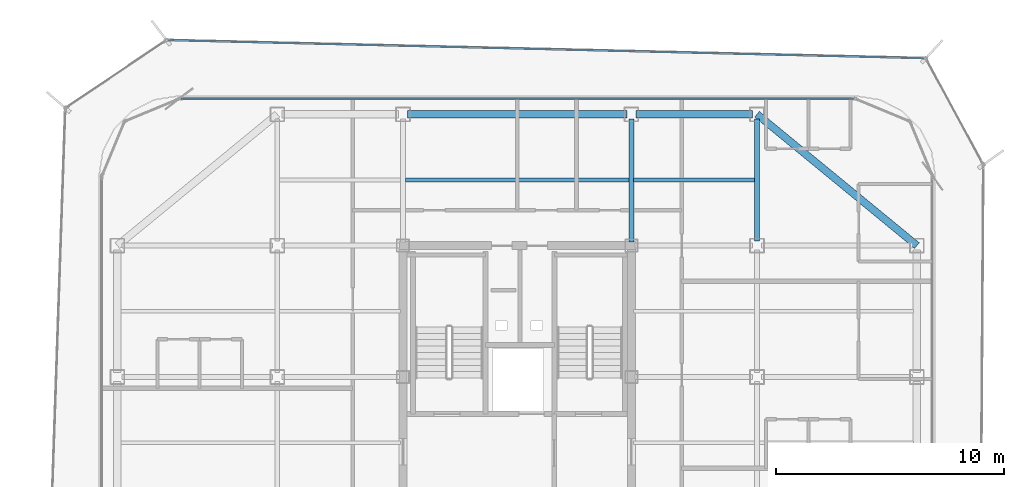
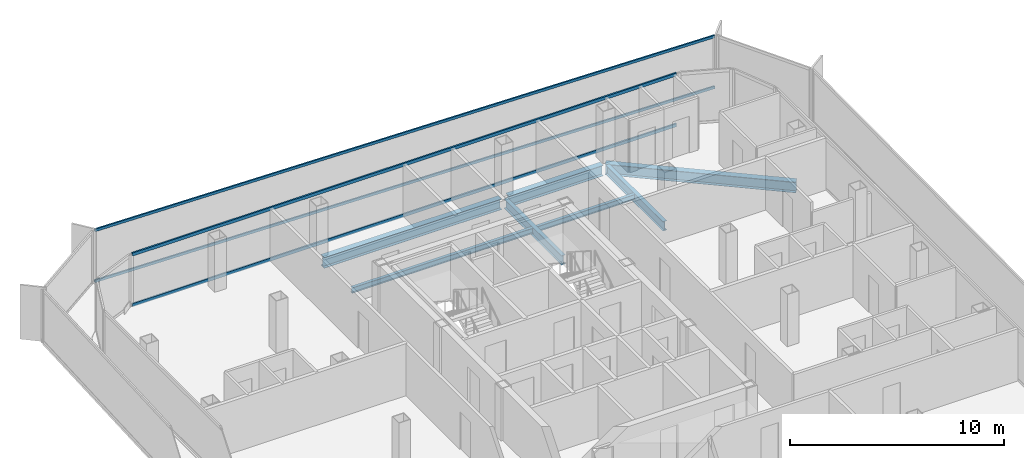
# One storey, part 7 of 15: 7 beams, 4 members, 2 elements without a shape of their own.
"""IFC4 building model written with IfcOpenShell, lengths in metres."""

from ifc_helpers import new_model, si_unit, direction, frame, origin, origin_2d, place, context, subcontext, project, spatial, hollow_rectangle, i_section, extrude, source, transform, mapped, material, layer, layer_set, material_profile, profile_set, type_object, element, aggregate, save


model = new_model("IFC4")

# Units and contexts
model_context = context("Model", 3, precision=1e-05, world=origin(), true_north=direction((0.0, 1.0)))
body_context = subcontext(model_context, "Body", "Model", "MODEL_VIEW")
ifc_project = project(units=[si_unit("LENGTHUNIT", "METRE"), si_unit("AREAUNIT", "SQUARE_METRE"), si_unit("VOLUMEUNIT", "CUBIC_METRE"), si_unit("PLANEANGLEUNIT", "RADIAN"), si_unit("MASSUNIT", "GRAM", prefix="KILO")], contexts=[model_context])

# Site, building, storey
site_placement = place(None, origin())
site = spatial("IfcSite", under=ifc_project, at=site_placement, CompositionType="ELEMENT")
building_placement = place(site_placement, origin())
building = spatial("IfcBuilding", under=site, at=building_placement, Name="Kolveth Station Tower", CompositionType="ELEMENT")
storey_placement = place(building_placement, frame((0.0, 0.0, 248.89990234375)))
storey = spatial("IfcBuildingStorey", under=building, at=storey_placement, Name="L71", CompositionType="ELEMENT", Elevation=248.89990234375)

# Beams
ifc_material_1 = material(Name="Steel S355", Category="steel")
ifc_material_profile_1 = material_profile(ifc_material_1, i_section(OverallWidth=0.323974609375, OverallDepth=0.611083984375, WebThickness=0.0126953125, FlangeThickness=0.01904296875, at=origin_2d()), Name="W610x155")
ifc_profile_set_1 = profile_set([ifc_material_profile_1], Name="Steel S355")
beam_type_1 = type_object("IfcBeamType", Name="Beam_SP2", PredefinedType="SPANDREL", material=ifc_profile_set_1)
shared_shape_1 = source(origin(), body_context, "Body", "SweptSolid", [
    extrude(i_section(OverallWidth=0.323974609375, OverallDepth=0.611083984375, WebThickness=0.0126953125, FlangeThickness=0.01904296875, at=origin_2d()), origin(), (0.0, 0.0, 1.0), 9.058837890625),
])
beam_1_placement = place(storey_placement, frame((41.0, 28.75, -0.525390625), z_axis=(-0.772726254525, 0.63473942336, 0.0), x_axis=(-0.63473942336, -0.772726254525, 0.0)))
element("IfcBeam", 1, at=beam_1_placement, inside=storey, type_object=beam_type_1, Name="L71 Corner Edge Girder BM-L71-CNR-NE", PredefinedType="SPANDREL", context=body_context, shape_type="MappedRepresentation", body=[
    mapped(shared_shape_1, transform((0.0, 0.0, 0.0), x_axis=(1.0, 0.0, 0.0), y_axis=(0.0, 1.0, 0.0), z_axis=(0.0, 0.0, 1.0), scale=1.0)),
])
shared_shape_2 = source(origin(), body_context, "Body", "SweptSolid", [
    extrude(i_section(OverallWidth=0.323974609375, OverallDepth=0.611083984375, WebThickness=0.0126953125, FlangeThickness=0.01904296875, at=origin_2d()), origin(), (0.0, 0.0, 1.0), 5.10009765625),
])
beam_2_placement = place(storey_placement, frame((28.699951171875, 34.5, -0.525390625), z_axis=(1.0, 0.0, 0.0), x_axis=(0.0, 1.0, 0.0)))
element("IfcBeam", 2, at=beam_2_placement, inside=storey, type_object=beam_type_1, Name="L71 Perimeter Spandrel BM-L71-PN-3", PredefinedType="SPANDREL", context=body_context, shape_type="MappedRepresentation", body=[
    mapped(shared_shape_2, transform((0.0, 0.0, 0.0), x_axis=(1.0, 0.0, 0.0), y_axis=(0.0, 1.0, 0.0), z_axis=(0.0, 0.0, 1.0), scale=1.0)),
])
shared_shape_3 = source(origin(), body_context, "Body", "SweptSolid", [
    extrude(i_section(OverallWidth=0.323974609375, OverallDepth=0.611083984375, WebThickness=0.0126953125, FlangeThickness=0.01904296875, at=origin_2d()), origin(), (0.0, 0.0, 1.0), 9.60009765625),
])
beam_3_placement = place(storey_placement, frame((18.699951171875, 34.5, -0.525390625), z_axis=(1.0, 0.0, 0.0), x_axis=(0.0, 1.0, 0.0)))
element("IfcBeam", 3, at=beam_3_placement, inside=storey, type_object=beam_type_1, Name="L71 Perimeter Spandrel BM-L71-PN-2", PredefinedType="SPANDREL", context=body_context, shape_type="MappedRepresentation", body=[
    mapped(shared_shape_3, transform((0.0, 0.0, 0.0), x_axis=(1.0, 0.0, 0.0), y_axis=(0.0, 1.0, 0.0), z_axis=(0.0, 0.0, 1.0), scale=1.0)),
])
ifc_material_profile_2 = material_profile(ifc_material_1, i_section(OverallWidth=0.2099609375, OverallDepth=0.537109375, WebThickness=0.010986328125, FlangeThickness=0.017333984375, at=origin_2d()), Name="W530x101")
ifc_profile_set_2 = profile_set([ifc_material_profile_2], Name="Steel S355")
beam_type_2 = type_object("IfcBeamType", Name="Beam_B6", PredefinedType="BEAM", material=ifc_profile_set_2)
shared_shape_4 = source(origin(), body_context, "Body", "SweptSolid", [
    extrude(i_section(OverallWidth=0.2099609375, OverallDepth=0.537109375, WebThickness=0.010986328125, FlangeThickness=0.017333984375, at=origin_2d()), origin(), (0.0, 0.0, 1.0), 5.35009765625),
])
beam_4_placement = place(storey_placement, frame((34.0, 28.949951171875, -0.48828125), z_axis=(0.0, 1.0, 0.0), x_axis=(-1.0, 0.0, 0.0)))
element("IfcBeam", 4, at=beam_4_placement, inside=storey, type_object=beam_type_2, Name="L71 Primary Girder BM-L71-GX340-6", PredefinedType="BEAM", context=body_context, shape_type="MappedRepresentation", body=[
    mapped(shared_shape_4, transform((0.0, 0.0, 0.0), x_axis=(1.0, 0.0, 0.0), y_axis=(0.0, 1.0, 0.0), z_axis=(0.0, 0.0, 1.0), scale=1.0)),
])
shared_shape_5 = source(origin(), body_context, "Body", "SweptSolid", [
    extrude(i_section(OverallWidth=0.2099609375, OverallDepth=0.537109375, WebThickness=0.010986328125, FlangeThickness=0.017333984375, at=origin_2d()), origin(), (0.0, 0.0, 1.0), 5.39013671875),
])
beam_5_placement = place(storey_placement, frame((28.5, 28.909912109375, -0.48828125), z_axis=(0.0, 1.0, 0.0), x_axis=(-1.0, 0.0, 0.0)))
element("IfcBeam", 5, at=beam_5_placement, inside=storey, type_object=beam_type_2, Name="L71 Primary Girder BM-L71-GX285-6", PredefinedType="BEAM", context=body_context, shape_type="MappedRepresentation", body=[
    mapped(shared_shape_5, transform((0.0, 0.0, 0.0), x_axis=(1.0, 0.0, 0.0), y_axis=(0.0, 1.0, 0.0), z_axis=(0.0, 0.0, 1.0), scale=1.0)),
])
ifc_material_profile_3 = material_profile(ifc_material_1, i_section(OverallWidth=0.1650390625, OverallDepth=0.31005859375, WebThickness=0.005859375, FlangeThickness=0.009765625, at=origin_2d()), Name="W310x39")
ifc_profile_set_3 = profile_set([ifc_material_profile_3], Name="Steel S355")
beam_type_3 = type_object("IfcBeamType", Name="Beam_J3", PredefinedType="JOIST", material=ifc_profile_set_3)
shared_shape_6 = source(origin(), body_context, "Body", "SweptSolid", [
    extrude(i_section(OverallWidth=0.1650390625, OverallDepth=0.31005859375, WebThickness=0.005859375, FlangeThickness=0.009765625, at=origin_2d()), origin(), (0.0, 0.0, 1.0), 5.2939453125),
])
beam_6_placement = place(storey_placement, frame((28.60302734375, 31.625, -0.375), z_axis=(1.0, 0.0, 0.0), x_axis=(0.0, 1.0, 0.0)))
element("IfcBeam", 6, at=beam_6_placement, inside=storey, type_object=beam_type_3, Name="L71 Secondary Joist JST-L71-4-6", PredefinedType="JOIST", context=body_context, shape_type="MappedRepresentation", body=[
    mapped(shared_shape_6, transform((0.0, 0.0, 0.0), x_axis=(1.0, 0.0, 0.0), y_axis=(0.0, 1.0, 0.0), z_axis=(0.0, 0.0, 1.0), scale=1.0)),
])
shared_shape_7 = source(origin(), body_context, "Body", "SweptSolid", [
    extrude(i_section(OverallWidth=0.1650390625, OverallDepth=0.31005859375, WebThickness=0.005859375, FlangeThickness=0.009765625, at=origin_2d()), origin(), (0.0, 0.0, 1.0), 9.7939453125),
])
beam_7_placement = place(storey_placement, frame((18.60302734375, 31.625, -0.375), z_axis=(1.0, 0.0, 0.0), x_axis=(0.0, 1.0, 0.0)))
element("IfcBeam", 7, at=beam_7_placement, inside=storey, type_object=beam_type_3, Name="L71 Secondary Joist JST-L71-3-6", PredefinedType="JOIST", context=body_context, shape_type="MappedRepresentation", body=[
    mapped(shared_shape_7, transform((0.0, 0.0, 0.0), x_axis=(1.0, 0.0, 0.0), y_axis=(0.0, 1.0, 0.0), z_axis=(0.0, 0.0, 1.0), scale=1.0)),
])

# Curtain wall, members
ifc_material_2 = material(Name="Aluminium 6063-T6 and triple low-E dark glass", Category="aluminium")
ifc_layer_1 = layer(ifc_material_2, 0.199951171875)
ifc_layer_set_1 = layer_set([ifc_layer_1], Name="Aluminium 6063-T6 and triple low-E dark glass")
curtain_wall_type_1 = type_object("IfcCurtainWallType", Name="CurtainWall_CW-Z3", PredefinedType="NOTDEFINED", material=ifc_layer_set_1)
curtain_wall_1_placement = place(storey_placement, origin())
curtain_wall_1 = element("IfcCurtainWall", 8, at=curtain_wall_1_placement, inside=storey, type_object=curtain_wall_type_1, Name="L71 Inner Thermal Curtain Wall 6", PredefinedType="NOTDEFINED")
ifc_material_3 = material(Name="Black anodized aluminium 6063-T6", Category="aluminium")
ifc_material_profile_4 = material_profile(ifc_material_3, hollow_rectangle(XDim=0.0849609375, YDim=0.179931640625, WallThickness=0.0048828125, at=origin_2d()), Name="ALU-85x180x5")
ifc_profile_set_4 = profile_set([ifc_material_profile_4], Name="Black anodized aluminium 6063-T6")
member_type_1 = type_object("IfcMemberType", Name="Transom_TR3", PredefinedType="USERDEFINED", material=ifc_profile_set_4)
shared_shape_8 = source(origin(), body_context, "Body", "SweptSolid", [
    extrude(hollow_rectangle(XDim=0.0849609375, YDim=0.179931640625, WallThickness=0.0048828125, at=origin_2d()), origin(), (0.0, 0.0, 1.0), 29.43017578125),
])
member_1_placement = place(storey_placement, frame((38.215087890625, 35.179931640625, 0.04248046875), z_axis=(-1.0, 0.0, 0.0), x_axis=(0.0, -1.0, 0.0)))
member_1 = element("IfcMember", 9, at=member_1_placement, type_object=member_type_1, Name="CW-Z3 transom 1.1", ObjectType="TRANSOM", PredefinedType="USERDEFINED", context=body_context, shape_type="MappedRepresentation", body=[
    mapped(shared_shape_8, transform((0.0, 0.0, 0.0), x_axis=(1.0, 0.0, 0.0), y_axis=(0.0, 1.0, 0.0), z_axis=(0.0, 0.0, 1.0), scale=1.0)),
])
member_2_placement = place(storey_placement, frame((38.215087890625, 35.179931640625, 2.9375), z_axis=(-1.0, 0.0, 0.0), x_axis=(0.0, -1.0, 0.0)))
member_2 = element("IfcMember", 10, at=member_2_placement, type_object=member_type_1, Name="CW-Z3 transom 1.2", ObjectType="TRANSOM", PredefinedType="USERDEFINED", context=body_context, shape_type="MappedRepresentation", body=[
    mapped(shared_shape_8, transform((0.0, 0.0, 0.0), x_axis=(1.0, 0.0, 0.0), y_axis=(0.0, 1.0, 0.0), z_axis=(0.0, 0.0, 1.0), scale=1.0)),
])
aggregate(curtain_wall_1, [member_1, member_2])

ifc_material_4 = material(Name="Black anodized aluminium 6063-T6 and dark solar glass", Category="aluminium")
ifc_layer_2 = layer(ifc_material_4, 0.159912109375)
ifc_layer_set_2 = layer_set([ifc_layer_2], Name="Black anodized aluminium 6063-T6 and dark solar glass")
curtain_wall_type_2 = type_object("IfcCurtainWallType", Name="OUTER SKIN CW-OS", PredefinedType="NOTDEFINED", material=ifc_layer_set_2)
curtain_wall_2_placement = place(storey_placement, origin())
curtain_wall_2 = element("IfcCurtainWall", 11, at=curtain_wall_2_placement, inside=storey, type_object=curtain_wall_type_2, Name="L71 Outer Ventilated Skin Curtain Wall 4", PredefinedType="NOTDEFINED")
ifc_material_profile_5 = material_profile(ifc_material_3, hollow_rectangle(XDim=0.080078125, YDim=0.14990234375, WallThickness=0.0048828125, at=origin_2d()), Name="ALU-80x150x5")
ifc_profile_set_5 = profile_set([ifc_material_profile_5], Name="Black anodized aluminium 6063-T6")
member_type_2 = type_object("IfcMemberType", Name="Transom_TR-OS", PredefinedType="USERDEFINED", material=ifc_profile_set_5)
shared_shape_9 = source(origin(), body_context, "Body", "SweptSolid", [
    extrude(hollow_rectangle(XDim=0.080078125, YDim=0.14990234375, WallThickness=0.0048828125, at=origin_2d()), origin(), (0.0, 0.0, 1.0), 33.067138671875),
])
member_3_placement = place(storey_placement, frame((41.2998046875, 36.9541015625, 0.0400390625), z_axis=(-0.999715249699, 0.023862512828, 0.0), x_axis=(-0.023862512828, -0.999715249699, 0.0)))
member_3 = element("IfcMember", 12, at=member_3_placement, type_object=member_type_2, Name="CW-OS transom 1.1", ObjectType="TRANSOM", PredefinedType="USERDEFINED", context=body_context, shape_type="MappedRepresentation", body=[
    mapped(shared_shape_9, transform((0.0, 0.0, 0.0), x_axis=(1.0, 0.0, 0.0), y_axis=(0.0, 1.0, 0.0), z_axis=(0.0, 0.0, 1.0), scale=1.0)),
])
member_4_placement = place(storey_placement, frame((41.2998046875, 36.9541015625, 2.9501953125), z_axis=(-0.999715249699, 0.023862512828, 0.0), x_axis=(-0.023862512828, -0.999715249699, 0.0)))
member_4 = element("IfcMember", 13, at=member_4_placement, type_object=member_type_2, Name="CW-OS transom 1.2", ObjectType="TRANSOM", PredefinedType="USERDEFINED", context=body_context, shape_type="MappedRepresentation", body=[
    mapped(shared_shape_9, transform((0.0, 0.0, 0.0), x_axis=(1.0, 0.0, 0.0), y_axis=(0.0, 1.0, 0.0), z_axis=(0.0, 0.0, 1.0), scale=1.0)),
])
aggregate(curtain_wall_2, [member_3, member_4])

save(model, "model.ifc")
